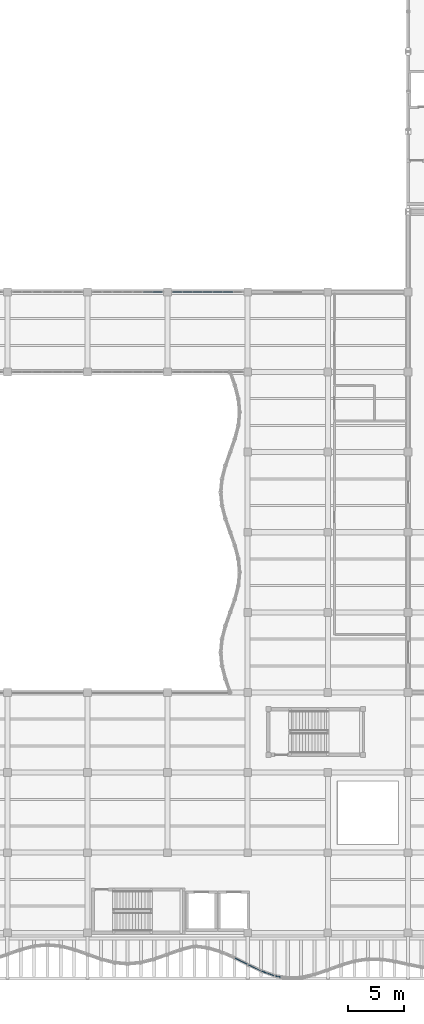
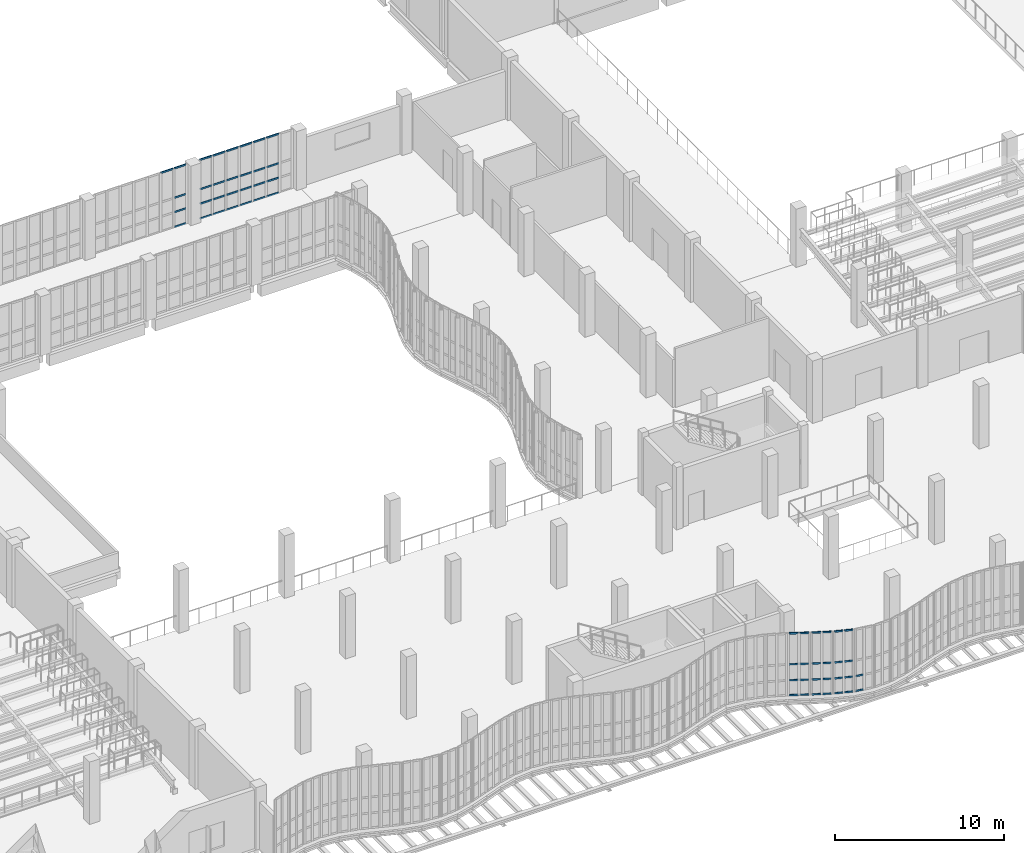
# One storey, part 57 of 108: 55 members, 6 elements without a shape of their own.
"""IFC4 building model written with IfcOpenShell, lengths in metres."""

from ifc_helpers import new_model, si_unit, direction, frame, origin, origin_2d, place, context, subcontext, project, spatial, hollow_rectangle, extrude, material, layer, layer_set, material_profile, profile_set, type_object, element, aggregate, save


model = new_model("IFC4")

# Units and contexts
model_context = context("Model", 3, precision=1e-05, world=origin(), true_north=direction((0.0, 1.0)))
body_context = subcontext(model_context, "Body", "Model", "MODEL_VIEW")
ifc_project = project(units=[si_unit("LENGTHUNIT", "METRE"), si_unit("AREAUNIT", "SQUARE_METRE"), si_unit("VOLUMEUNIT", "CUBIC_METRE"), si_unit("PLANEANGLEUNIT", "RADIAN"), si_unit("MASSUNIT", "GRAM", prefix="KILO"), si_unit("THERMODYNAMICTEMPERATUREUNIT", "KELVIN"), si_unit("POWERUNIT", "WATT")], contexts=[model_context])

# Site, building, storey
site_placement = place(None, origin())
site = spatial("IfcSite", under=ifc_project, at=site_placement, CompositionType="ELEMENT")
building_placement = place(site_placement, origin())
building = spatial("IfcBuilding", under=site, at=building_placement, Name="Kaldorven Railside Theatre", CompositionType="ELEMENT")
storey_placement = place(building_placement, frame((0.0, 0.0, 5.39990234375)))
storey = spatial("IfcBuildingStorey", under=building, at=storey_placement, Name="L01", CompositionType="ELEMENT", Elevation=5.39990234375)

# Curtain wall, members
ifc_material_1 = material(Name="Low-E laminated solar-control glass", Category="glass")
ifc_layer_1 = layer(ifc_material_1, 0.159912109375, Name="Low-E laminated solar-control glass")
ifc_layer_set_1 = layer_set([ifc_layer_1], Name="Low-E laminated solar-control glass")
curtain_wall_type_1 = type_object("IfcCurtainWallType", Name="CWT-06", PredefinedType="USERDEFINED", material=ifc_layer_set_1)
curtain_wall_1_placement = place(storey_placement, origin())
curtain_wall_1 = element("IfcCurtainWall", 1, at=curtain_wall_1_placement, inside=storey, type_object=curtain_wall_type_1, Name="Sinusoidal Fluted Curtain Wall CW-L01-S30", ObjectType="FLUTED GLAZING", PredefinedType="USERDEFINED")
ifc_material_2 = material(Name="Anodised bronze aluminium", Category="aluminium")
ifc_material_profile = material_profile(ifc_material_2, hollow_rectangle(XDim=0.06005859375, YDim=0.1201171875, WallThickness=0.0048828125, at=origin_2d()), Name="RHS 120x60x5")
ifc_profile_set = profile_set([ifc_material_profile], Name="Anodised bronze aluminium")
member_type = type_object("IfcMemberType", Name="CWT-120", PredefinedType="USERDEFINED", material=ifc_profile_set)
member_1_placement = place(storey_placement, frame((71.67138671875, 16.918212890625, 0.030029296875), z_axis=(0.892384777665, -0.451275313519, 0.0), x_axis=(0.451275313519, 0.892384777665, 0.0)))
member_1 = element("IfcMember", 2, at=member_1_placement, type_object=member_type, Name="CW-L01-S30 transom 1.1", ObjectType="TRANSOM", PredefinedType="USERDEFINED", context=body_context, shape_type="SweptSolid", body=[
    extrude(hollow_rectangle(XDim=0.06005859375, YDim=0.1201171875, WallThickness=0.0048828125, at=origin_2d()), origin(), (0.0, 0.0, 1.0), 0.55224609375),
])
member_2_placement = place(storey_placement, frame((71.67138671875, 16.918212890625, 1.10009765625), z_axis=(0.892384777665, -0.451275313519, 0.0), x_axis=(0.451275313519, 0.892384777665, 0.0)))
member_2 = element("IfcMember", 3, at=member_2_placement, type_object=member_type, Name="CW-L01-S30 transom 1.2", ObjectType="TRANSOM", PredefinedType="USERDEFINED", context=body_context, shape_type="SweptSolid", body=[
    extrude(hollow_rectangle(XDim=0.06005859375, YDim=0.1201171875, WallThickness=0.0048828125, at=origin_2d()), origin(), (0.0, 0.0, 1.0), 0.55224609375),
])
member_3_placement = place(storey_placement, frame((71.67138671875, 16.918212890625, 2.25), z_axis=(0.892384777665, -0.451275313519, 0.0), x_axis=(0.451275313519, 0.892384777665, 0.0)))
member_3 = element("IfcMember", 4, at=member_3_placement, type_object=member_type, Name="CW-L01-S30 transom 1.3", ObjectType="TRANSOM", PredefinedType="USERDEFINED", context=body_context, shape_type="SweptSolid", body=[
    extrude(hollow_rectangle(XDim=0.06005859375, YDim=0.1201171875, WallThickness=0.0048828125, at=origin_2d()), origin(), (0.0, 0.0, 1.0), 0.55224609375),
])
member_4_placement = place(storey_placement, frame((71.67138671875, 16.918212890625, 4.47021484375), z_axis=(0.892384777665, -0.451275313519, 0.0), x_axis=(0.451275313519, 0.892384777665, 0.0)))
member_4 = element("IfcMember", 5, at=member_4_placement, type_object=member_type, Name="CW-L01-S30 transom 1.4", ObjectType="TRANSOM", PredefinedType="USERDEFINED", context=body_context, shape_type="SweptSolid", body=[
    extrude(hollow_rectangle(XDim=0.06005859375, YDim=0.1201171875, WallThickness=0.0048828125, at=origin_2d()), origin(), (0.0, 0.0, 1.0), 0.55224609375),
])
member_5_placement = place(storey_placement, frame((72.235595703125, 16.6328125, 0.030029296875), z_axis=(0.892206748065, -0.451627189956, 0.0), x_axis=(0.451627189956, 0.892206748065, 0.0)))
member_5 = element("IfcMember", 6, at=member_5_placement, type_object=member_type, Name="CW-L01-S30 transom 2.1", ObjectType="TRANSOM", PredefinedType="USERDEFINED", context=body_context, shape_type="SweptSolid", body=[
    extrude(hollow_rectangle(XDim=0.06005859375, YDim=0.1201171875, WallThickness=0.0048828125, at=origin_2d()), origin(), (0.0, 0.0, 1.0), 0.552490234375),
])
member_6_placement = place(storey_placement, frame((72.235595703125, 16.6328125, 1.10009765625), z_axis=(0.892206748065, -0.451627189956, 0.0), x_axis=(0.451627189956, 0.892206748065, 0.0)))
member_6 = element("IfcMember", 7, at=member_6_placement, type_object=member_type, Name="CW-L01-S30 transom 2.2", ObjectType="TRANSOM", PredefinedType="USERDEFINED", context=body_context, shape_type="SweptSolid", body=[
    extrude(hollow_rectangle(XDim=0.06005859375, YDim=0.1201171875, WallThickness=0.0048828125, at=origin_2d()), origin(), (0.0, 0.0, 1.0), 0.552490234375),
])
member_7_placement = place(storey_placement, frame((72.235595703125, 16.6328125, 2.25), z_axis=(0.892206748065, -0.451627189956, 0.0), x_axis=(0.451627189956, 0.892206748065, 0.0)))
member_7 = element("IfcMember", 8, at=member_7_placement, type_object=member_type, Name="CW-L01-S30 transom 2.3", ObjectType="TRANSOM", PredefinedType="USERDEFINED", context=body_context, shape_type="SweptSolid", body=[
    extrude(hollow_rectangle(XDim=0.06005859375, YDim=0.1201171875, WallThickness=0.0048828125, at=origin_2d()), origin(), (0.0, 0.0, 1.0), 0.552490234375),
])
member_8_placement = place(storey_placement, frame((72.235595703125, 16.6328125, 4.47021484375), z_axis=(0.892206748065, -0.451627189956, 0.0), x_axis=(0.451627189956, 0.892206748065, 0.0)))
member_8 = element("IfcMember", 9, at=member_8_placement, type_object=member_type, Name="CW-L01-S30 transom 2.4", ObjectType="TRANSOM", PredefinedType="USERDEFINED", context=body_context, shape_type="SweptSolid", body=[
    extrude(hollow_rectangle(XDim=0.06005859375, YDim=0.1201171875, WallThickness=0.0048828125, at=origin_2d()), origin(), (0.0, 0.0, 1.0), 0.552490234375),
])
aggregate(curtain_wall_1, [member_1, member_2, member_3, member_4, member_5, member_6, member_7, member_8])

curtain_wall_2_placement = place(storey_placement, origin())
curtain_wall_2 = element("IfcCurtainWall", 10, at=curtain_wall_2_placement, inside=storey, type_object=curtain_wall_type_1, Name="Sinusoidal Fluted Curtain Wall CW-L01-S31", ObjectType="FLUTED GLAZING", PredefinedType="USERDEFINED")
member_9_placement = place(storey_placement, frame((72.8720703125, 16.3125, 0.030029296875), z_axis=(0.90085923382, -0.434111323097, 0.0), x_axis=(0.434111323097, 0.90085923382, 0.0)))
member_9 = element("IfcMember", 11, at=member_9_placement, type_object=member_type, Name="CW-L01-S31 transom 1.1", ObjectType="TRANSOM", PredefinedType="USERDEFINED", context=body_context, shape_type="SweptSolid", body=[
    extrude(hollow_rectangle(XDim=0.06005859375, YDim=0.1201171875, WallThickness=0.0048828125, at=origin_2d()), origin(), (0.0, 0.0, 1.0), 0.546142578125),
])
member_10_placement = place(storey_placement, frame((72.8720703125, 16.3125, 1.10009765625), z_axis=(0.90085923382, -0.434111323097, 0.0), x_axis=(0.434111323097, 0.90085923382, 0.0)))
member_10 = element("IfcMember", 12, at=member_10_placement, type_object=member_type, Name="CW-L01-S31 transom 1.2", ObjectType="TRANSOM", PredefinedType="USERDEFINED", context=body_context, shape_type="SweptSolid", body=[
    extrude(hollow_rectangle(XDim=0.06005859375, YDim=0.1201171875, WallThickness=0.0048828125, at=origin_2d()), origin(), (0.0, 0.0, 1.0), 0.546142578125),
])
member_11_placement = place(storey_placement, frame((72.8720703125, 16.3125, 2.25), z_axis=(0.90085923382, -0.434111323097, 0.0), x_axis=(0.434111323097, 0.90085923382, 0.0)))
member_11 = element("IfcMember", 13, at=member_11_placement, type_object=member_type, Name="CW-L01-S31 transom 1.3", ObjectType="TRANSOM", PredefinedType="USERDEFINED", context=body_context, shape_type="SweptSolid", body=[
    extrude(hollow_rectangle(XDim=0.06005859375, YDim=0.1201171875, WallThickness=0.0048828125, at=origin_2d()), origin(), (0.0, 0.0, 1.0), 0.546142578125),
])
member_12_placement = place(storey_placement, frame((72.8720703125, 16.3125, 4.47021484375), z_axis=(0.90085923382, -0.434111323097, 0.0), x_axis=(0.434111323097, 0.90085923382, 0.0)))
member_12 = element("IfcMember", 14, at=member_12_placement, type_object=member_type, Name="CW-L01-S31 transom 1.4", ObjectType="TRANSOM", PredefinedType="USERDEFINED", context=body_context, shape_type="SweptSolid", body=[
    extrude(hollow_rectangle(XDim=0.06005859375, YDim=0.1201171875, WallThickness=0.0048828125, at=origin_2d()), origin(), (0.0, 0.0, 1.0), 0.546142578125),
])
member_13_placement = place(storey_placement, frame((73.43603515625, 16.040771484375, 0.030029296875), z_axis=(0.900684355074, -0.434474041256, 0.0), x_axis=(0.434474041256, 0.900684355074, 0.0)))
member_13 = element("IfcMember", 15, at=member_13_placement, type_object=member_type, Name="CW-L01-S31 transom 2.1", ObjectType="TRANSOM", PredefinedType="USERDEFINED", context=body_context, shape_type="SweptSolid", body=[
    extrude(hollow_rectangle(XDim=0.06005859375, YDim=0.1201171875, WallThickness=0.0048828125, at=origin_2d()), origin(), (0.0, 0.0, 1.0), 0.546142578125),
])
member_14_placement = place(storey_placement, frame((73.43603515625, 16.040771484375, 1.10009765625), z_axis=(0.900684355074, -0.434474041256, 0.0), x_axis=(0.434474041256, 0.900684355074, 0.0)))
member_14 = element("IfcMember", 16, at=member_14_placement, type_object=member_type, Name="CW-L01-S31 transom 2.2", ObjectType="TRANSOM", PredefinedType="USERDEFINED", context=body_context, shape_type="SweptSolid", body=[
    extrude(hollow_rectangle(XDim=0.06005859375, YDim=0.1201171875, WallThickness=0.0048828125, at=origin_2d()), origin(), (0.0, 0.0, 1.0), 0.546142578125),
])
member_15_placement = place(storey_placement, frame((73.43603515625, 16.040771484375, 2.25), z_axis=(0.900684355074, -0.434474041256, 0.0), x_axis=(0.434474041256, 0.900684355074, 0.0)))
member_15 = element("IfcMember", 17, at=member_15_placement, type_object=member_type, Name="CW-L01-S31 transom 2.3", ObjectType="TRANSOM", PredefinedType="USERDEFINED", context=body_context, shape_type="SweptSolid", body=[
    extrude(hollow_rectangle(XDim=0.06005859375, YDim=0.1201171875, WallThickness=0.0048828125, at=origin_2d()), origin(), (0.0, 0.0, 1.0), 0.546142578125),
])
member_16_placement = place(storey_placement, frame((73.43603515625, 16.040771484375, 4.47021484375), z_axis=(0.900684355074, -0.434474041256, 0.0), x_axis=(0.434474041256, 0.900684355074, 0.0)))
member_16 = element("IfcMember", 18, at=member_16_placement, type_object=member_type, Name="CW-L01-S31 transom 2.4", ObjectType="TRANSOM", PredefinedType="USERDEFINED", context=body_context, shape_type="SweptSolid", body=[
    extrude(hollow_rectangle(XDim=0.06005859375, YDim=0.1201171875, WallThickness=0.0048828125, at=origin_2d()), origin(), (0.0, 0.0, 1.0), 0.546142578125),
])
aggregate(curtain_wall_2, [member_9, member_10, member_11, member_12, member_13, member_14, member_15, member_16])

ifc_layer_2 = layer(ifc_material_1, 0.159912109375, Name="Low-E laminated solar-control glass")
ifc_layer_set_2 = layer_set([ifc_layer_2], Name="Low-E laminated solar-control glass")
curtain_wall_type_2 = type_object("IfcCurtainWallType", Name="CWT-01", PredefinedType="USERDEFINED", material=ifc_layer_set_2)
curtain_wall_3_placement = place(storey_placement, origin())
curtain_wall_3 = element("IfcCurtainWall", 19, at=curtain_wall_3_placement, inside=storey, type_object=curtain_wall_type_2, Name="Sinusoidal Fluted Curtain Wall CW-L01-S32", ObjectType="FLUTED GLAZING", PredefinedType="USERDEFINED")
member_17_placement = place(storey_placement, frame((74.0751953125, 15.741455078125, 0.030029296875), z_axis=(0.939765927039, -0.341818668853, 0.0), x_axis=(0.341818668853, 0.939765927039, 0.0)))
member_17 = element("IfcMember", 20, at=member_17_placement, type_object=member_type, Name="CW-L01-S32 transom 1.1", ObjectType="TRANSOM", PredefinedType="USERDEFINED", context=body_context, shape_type="SweptSolid", body=[
    extrude(hollow_rectangle(XDim=0.06005859375, YDim=0.1201171875, WallThickness=0.0048828125, at=origin_2d()), origin(), (0.0, 0.0, 1.0), 0.5185546875),
])
member_18_placement = place(storey_placement, frame((74.0751953125, 15.741455078125, 1.10009765625), z_axis=(0.939765927039, -0.341818668853, 0.0), x_axis=(0.341818668853, 0.939765927039, 0.0)))
member_18 = element("IfcMember", 21, at=member_18_placement, type_object=member_type, Name="CW-L01-S32 transom 1.2", ObjectType="TRANSOM", PredefinedType="USERDEFINED", context=body_context, shape_type="SweptSolid", body=[
    extrude(hollow_rectangle(XDim=0.06005859375, YDim=0.1201171875, WallThickness=0.0048828125, at=origin_2d()), origin(), (0.0, 0.0, 1.0), 0.5185546875),
])
member_19_placement = place(storey_placement, frame((74.0751953125, 15.741455078125, 2.25), z_axis=(0.939765927039, -0.341818668853, 0.0), x_axis=(0.341818668853, 0.939765927039, 0.0)))
member_19 = element("IfcMember", 22, at=member_19_placement, type_object=member_type, Name="CW-L01-S32 transom 1.3", ObjectType="TRANSOM", PredefinedType="USERDEFINED", context=body_context, shape_type="SweptSolid", body=[
    extrude(hollow_rectangle(XDim=0.06005859375, YDim=0.1201171875, WallThickness=0.0048828125, at=origin_2d()), origin(), (0.0, 0.0, 1.0), 0.5185546875),
])
member_20_placement = place(storey_placement, frame((74.0751953125, 15.741455078125, 4.47021484375), z_axis=(0.939765927039, -0.341818668853, 0.0), x_axis=(0.341818668853, 0.939765927039, 0.0)))
member_20 = element("IfcMember", 23, at=member_20_placement, type_object=member_type, Name="CW-L01-S32 transom 1.4", ObjectType="TRANSOM", PredefinedType="USERDEFINED", context=body_context, shape_type="SweptSolid", body=[
    extrude(hollow_rectangle(XDim=0.06005859375, YDim=0.1201171875, WallThickness=0.0048828125, at=origin_2d()), origin(), (0.0, 0.0, 1.0), 0.5185546875),
])
member_21_placement = place(storey_placement, frame((74.6376953125, 15.536865234375, 0.030029296875), z_axis=(0.939710879359, -0.341969974143, 0.0), x_axis=(0.341969974143, 0.939710879359, 0.0)))
member_21 = element("IfcMember", 24, at=member_21_placement, type_object=member_type, Name="CW-L01-S32 transom 2.1", ObjectType="TRANSOM", PredefinedType="USERDEFINED", context=body_context, shape_type="SweptSolid", body=[
    extrude(hollow_rectangle(XDim=0.06005859375, YDim=0.1201171875, WallThickness=0.0048828125, at=origin_2d()), origin(), (0.0, 0.0, 1.0), 0.518310546875),
])
member_22_placement = place(storey_placement, frame((74.6376953125, 15.536865234375, 1.10009765625), z_axis=(0.939710879359, -0.341969974143, 0.0), x_axis=(0.341969974143, 0.939710879359, 0.0)))
member_22 = element("IfcMember", 25, at=member_22_placement, type_object=member_type, Name="CW-L01-S32 transom 2.2", ObjectType="TRANSOM", PredefinedType="USERDEFINED", context=body_context, shape_type="SweptSolid", body=[
    extrude(hollow_rectangle(XDim=0.06005859375, YDim=0.1201171875, WallThickness=0.0048828125, at=origin_2d()), origin(), (0.0, 0.0, 1.0), 0.518310546875),
])
member_23_placement = place(storey_placement, frame((74.6376953125, 15.536865234375, 2.25), z_axis=(0.939710879359, -0.341969974143, 0.0), x_axis=(0.341969974143, 0.939710879359, 0.0)))
member_23 = element("IfcMember", 26, at=member_23_placement, type_object=member_type, Name="CW-L01-S32 transom 2.3", ObjectType="TRANSOM", PredefinedType="USERDEFINED", context=body_context, shape_type="SweptSolid", body=[
    extrude(hollow_rectangle(XDim=0.06005859375, YDim=0.1201171875, WallThickness=0.0048828125, at=origin_2d()), origin(), (0.0, 0.0, 1.0), 0.518310546875),
])
member_24_placement = place(storey_placement, frame((74.6376953125, 15.536865234375, 4.47021484375), z_axis=(0.939710879359, -0.341969974143, 0.0), x_axis=(0.341969974143, 0.939710879359, 0.0)))
member_24 = element("IfcMember", 27, at=member_24_placement, type_object=member_type, Name="CW-L01-S32 transom 2.4", ObjectType="TRANSOM", PredefinedType="USERDEFINED", context=body_context, shape_type="SweptSolid", body=[
    extrude(hollow_rectangle(XDim=0.06005859375, YDim=0.1201171875, WallThickness=0.0048828125, at=origin_2d()), origin(), (0.0, 0.0, 1.0), 0.518310546875),
])
aggregate(curtain_wall_3, [member_17, member_18, member_19, member_20, member_21, member_22, member_23, member_24])

ifc_layer_3 = layer(ifc_material_1, 0.159912109375, Name="Low-E laminated solar-control glass")
ifc_layer_set_3 = layer_set([ifc_layer_3], Name="Low-E laminated solar-control glass")
curtain_wall_type_3 = type_object("IfcCurtainWallType", Name="CWT-07", PredefinedType="USERDEFINED", material=ifc_layer_set_3)
curtain_wall_4_placement = place(storey_placement, origin())
curtain_wall_4 = element("IfcCurtainWall", 28, at=curtain_wall_4_placement, inside=storey, type_object=curtain_wall_type_3, Name="Sinusoidal Fluted Curtain Wall CW-L01-S33", ObjectType="FLUTED GLAZING", PredefinedType="USERDEFINED")
member_25_placement = place(storey_placement, frame((75.27880859375, 15.318359375, 0.030029296875), z_axis=(0.984883900347, -0.1732157696, 0.0), x_axis=(0.1732157696, 0.984883900347, 0.0)))
member_25 = element("IfcMember", 29, at=member_25_placement, type_object=member_type, Name="CW-L01-S33 transom 1.1", ObjectType="TRANSOM", PredefinedType="USERDEFINED", context=body_context, shape_type="SweptSolid", body=[
    extrude(hollow_rectangle(XDim=0.06005859375, YDim=0.1201171875, WallThickness=0.0048828125, at=origin_2d()), origin(), (0.0, 0.0, 1.0), 0.489013671875),
])
member_26_placement = place(storey_placement, frame((75.27880859375, 15.318359375, 1.10009765625), z_axis=(0.984883900347, -0.1732157696, 0.0), x_axis=(0.1732157696, 0.984883900347, 0.0)))
member_26 = element("IfcMember", 30, at=member_26_placement, type_object=member_type, Name="CW-L01-S33 transom 1.2", ObjectType="TRANSOM", PredefinedType="USERDEFINED", context=body_context, shape_type="SweptSolid", body=[
    extrude(hollow_rectangle(XDim=0.06005859375, YDim=0.1201171875, WallThickness=0.0048828125, at=origin_2d()), origin(), (0.0, 0.0, 1.0), 0.489013671875),
])
aggregate(curtain_wall_4, [member_25, member_26])

ifc_layer_4 = layer(ifc_material_1, 0.159912109375, Name="Low-E laminated solar-control glass")
ifc_layer_set_4 = layer_set([ifc_layer_4], Name="Low-E laminated solar-control glass")
curtain_wall_type_4 = type_object("IfcCurtainWallType", Name="CWT-25", PredefinedType="USERDEFINED", material=ifc_layer_set_4)
curtain_wall_5_placement = place(storey_placement, origin())
curtain_wall_5 = element("IfcCurtainWall", 31, at=curtain_wall_5_placement, inside=storey, type_object=curtain_wall_type_4, Name="Sinusoidal Fluted Curtain Wall CW-L01-BN03", ObjectType="FLUTED GLAZING", PredefinedType="USERDEFINED")
member_27_placement = place(storey_placement, frame((63.411376953125, 76.800048828125, 4.25), z_axis=(1.0, 0.0, 0.0), x_axis=(0.0, 1.0, 0.0)))
member_27 = element("IfcMember", 32, at=member_27_placement, type_object=member_type, Name="CW-L01-BN03 transom 6.4", ObjectType="TRANSOM", PredefinedType="USERDEFINED", context=body_context, shape_type="SweptSolid", body=[
    extrude(hollow_rectangle(XDim=0.06005859375, YDim=0.1201171875, WallThickness=0.0048828125, at=origin_2d()), origin(), (0.0, 0.0, 1.0), 0.834228515625),
])
member_28_placement = place(storey_placement, frame((64.32568359375, 76.800048828125, 0.030029296875), z_axis=(1.0, 0.0, 0.0), x_axis=(0.0, 1.0, 0.0)))
member_28 = element("IfcMember", 33, at=member_28_placement, type_object=member_type, Name="CW-L01-BN03 transom 7.1", ObjectType="TRANSOM", PredefinedType="USERDEFINED", context=body_context, shape_type="SweptSolid", body=[
    extrude(hollow_rectangle(XDim=0.06005859375, YDim=0.1201171875, WallThickness=0.0048828125, at=origin_2d()), origin(), (0.0, 0.0, 1.0), 0.79443359375),
])
member_29_placement = place(storey_placement, frame((64.32568359375, 76.800048828125, 1.10009765625), z_axis=(1.0, 0.0, 0.0), x_axis=(0.0, 1.0, 0.0)))
member_29 = element("IfcMember", 34, at=member_29_placement, type_object=member_type, Name="CW-L01-BN03 transom 7.2", ObjectType="TRANSOM", PredefinedType="USERDEFINED", context=body_context, shape_type="SweptSolid", body=[
    extrude(hollow_rectangle(XDim=0.06005859375, YDim=0.1201171875, WallThickness=0.0048828125, at=origin_2d()), origin(), (0.0, 0.0, 1.0), 0.79443359375),
])
member_30_placement = place(storey_placement, frame((64.32568359375, 76.800048828125, 2.14013671875), z_axis=(1.0, 0.0, 0.0), x_axis=(0.0, 1.0, 0.0)))
member_30 = element("IfcMember", 35, at=member_30_placement, type_object=member_type, Name="CW-L01-BN03 transom 7.3", ObjectType="TRANSOM", PredefinedType="USERDEFINED", context=body_context, shape_type="SweptSolid", body=[
    extrude(hollow_rectangle(XDim=0.06005859375, YDim=0.1201171875, WallThickness=0.0048828125, at=origin_2d()), origin(), (0.0, 0.0, 1.0), 0.79443359375),
])
member_31_placement = place(storey_placement, frame((64.32568359375, 76.800048828125, 4.25), z_axis=(1.0, 0.0, 0.0), x_axis=(0.0, 1.0, 0.0)))
member_31 = element("IfcMember", 36, at=member_31_placement, type_object=member_type, Name="CW-L01-BN03 transom 7.4", ObjectType="TRANSOM", PredefinedType="USERDEFINED", context=body_context, shape_type="SweptSolid", body=[
    extrude(hollow_rectangle(XDim=0.06005859375, YDim=0.1201171875, WallThickness=0.0048828125, at=origin_2d()), origin(), (0.0, 0.0, 1.0), 0.79443359375),
])
aggregate(curtain_wall_5, [member_27, member_28, member_29, member_30, member_31])

curtain_wall_6_placement = place(storey_placement, origin())
curtain_wall_6 = element("IfcCurtainWall", 37, at=curtain_wall_6_placement, inside=storey, type_object=curtain_wall_type_4, Name="Sinusoidal Fluted Curtain Wall CW-L01-BN04", ObjectType="FLUTED GLAZING", PredefinedType="USERDEFINED")
member_32_placement = place(storey_placement, frame((66.080078125, 76.800048828125, 0.030029296875), z_axis=(1.0, 0.0, 0.0), x_axis=(0.0, 1.0, 0.0)))
member_32 = element("IfcMember", 38, at=member_32_placement, type_object=member_type, Name="CW-L01-BN04 transom 1.1", ObjectType="TRANSOM", PredefinedType="USERDEFINED", context=body_context, shape_type="SweptSolid", body=[
    extrude(hollow_rectangle(XDim=0.06005859375, YDim=0.1201171875, WallThickness=0.0048828125, at=origin_2d()), origin(), (0.0, 0.0, 1.0), 0.794189453125),
])
member_33_placement = place(storey_placement, frame((66.080078125, 76.800048828125, 1.10009765625), z_axis=(1.0, 0.0, 0.0), x_axis=(0.0, 1.0, 0.0)))
member_33 = element("IfcMember", 39, at=member_33_placement, type_object=member_type, Name="CW-L01-BN04 transom 1.2", ObjectType="TRANSOM", PredefinedType="USERDEFINED", context=body_context, shape_type="SweptSolid", body=[
    extrude(hollow_rectangle(XDim=0.06005859375, YDim=0.1201171875, WallThickness=0.0048828125, at=origin_2d()), origin(), (0.0, 0.0, 1.0), 0.794189453125),
])
member_34_placement = place(storey_placement, frame((66.080078125, 76.800048828125, 2.14013671875), z_axis=(1.0, 0.0, 0.0), x_axis=(0.0, 1.0, 0.0)))
member_34 = element("IfcMember", 40, at=member_34_placement, type_object=member_type, Name="CW-L01-BN04 transom 1.3", ObjectType="TRANSOM", PredefinedType="USERDEFINED", context=body_context, shape_type="SweptSolid", body=[
    extrude(hollow_rectangle(XDim=0.06005859375, YDim=0.1201171875, WallThickness=0.0048828125, at=origin_2d()), origin(), (0.0, 0.0, 1.0), 0.794189453125),
])
member_35_placement = place(storey_placement, frame((66.080078125, 76.800048828125, 4.25), z_axis=(1.0, 0.0, 0.0), x_axis=(0.0, 1.0, 0.0)))
member_35 = element("IfcMember", 41, at=member_35_placement, type_object=member_type, Name="CW-L01-BN04 transom 1.4", ObjectType="TRANSOM", PredefinedType="USERDEFINED", context=body_context, shape_type="SweptSolid", body=[
    extrude(hollow_rectangle(XDim=0.06005859375, YDim=0.1201171875, WallThickness=0.0048828125, at=origin_2d()), origin(), (0.0, 0.0, 1.0), 0.794189453125),
])
member_36_placement = place(storey_placement, frame((66.954345703125, 76.800048828125, 0.030029296875), z_axis=(1.0, 0.0, 0.0), x_axis=(0.0, 1.0, 0.0)))
member_36 = element("IfcMember", 42, at=member_36_placement, type_object=member_type, Name="CW-L01-BN04 transom 2.1", ObjectType="TRANSOM", PredefinedType="USERDEFINED", context=body_context, shape_type="SweptSolid", body=[
    extrude(hollow_rectangle(XDim=0.06005859375, YDim=0.1201171875, WallThickness=0.0048828125, at=origin_2d()), origin(), (0.0, 0.0, 1.0), 0.834228515625),
])
member_37_placement = place(storey_placement, frame((66.954345703125, 76.800048828125, 1.10009765625), z_axis=(1.0, 0.0, 0.0), x_axis=(0.0, 1.0, 0.0)))
member_37 = element("IfcMember", 43, at=member_37_placement, type_object=member_type, Name="CW-L01-BN04 transom 2.2", ObjectType="TRANSOM", PredefinedType="USERDEFINED", context=body_context, shape_type="SweptSolid", body=[
    extrude(hollow_rectangle(XDim=0.06005859375, YDim=0.1201171875, WallThickness=0.0048828125, at=origin_2d()), origin(), (0.0, 0.0, 1.0), 0.834228515625),
])
member_38_placement = place(storey_placement, frame((66.954345703125, 76.800048828125, 2.14013671875), z_axis=(1.0, 0.0, 0.0), x_axis=(0.0, 1.0, 0.0)))
member_38 = element("IfcMember", 44, at=member_38_placement, type_object=member_type, Name="CW-L01-BN04 transom 2.3", ObjectType="TRANSOM", PredefinedType="USERDEFINED", context=body_context, shape_type="SweptSolid", body=[
    extrude(hollow_rectangle(XDim=0.06005859375, YDim=0.1201171875, WallThickness=0.0048828125, at=origin_2d()), origin(), (0.0, 0.0, 1.0), 0.834228515625),
])
member_39_placement = place(storey_placement, frame((66.954345703125, 76.800048828125, 4.25), z_axis=(1.0, 0.0, 0.0), x_axis=(0.0, 1.0, 0.0)))
member_39 = element("IfcMember", 45, at=member_39_placement, type_object=member_type, Name="CW-L01-BN04 transom 2.4", ObjectType="TRANSOM", PredefinedType="USERDEFINED", context=body_context, shape_type="SweptSolid", body=[
    extrude(hollow_rectangle(XDim=0.06005859375, YDim=0.1201171875, WallThickness=0.0048828125, at=origin_2d()), origin(), (0.0, 0.0, 1.0), 0.834228515625),
])
member_40_placement = place(storey_placement, frame((67.86865234375, 76.800048828125, 0.030029296875), z_axis=(1.0, 0.0, 0.0), x_axis=(0.0, 1.0, 0.0)))
member_40 = element("IfcMember", 46, at=member_40_placement, type_object=member_type, Name="CW-L01-BN04 transom 3.1", ObjectType="TRANSOM", PredefinedType="USERDEFINED", context=body_context, shape_type="SweptSolid", body=[
    extrude(hollow_rectangle(XDim=0.06005859375, YDim=0.1201171875, WallThickness=0.0048828125, at=origin_2d()), origin(), (0.0, 0.0, 1.0), 0.834228515625),
])
member_41_placement = place(storey_placement, frame((67.86865234375, 76.800048828125, 1.10009765625), z_axis=(1.0, 0.0, 0.0), x_axis=(0.0, 1.0, 0.0)))
member_41 = element("IfcMember", 47, at=member_41_placement, type_object=member_type, Name="CW-L01-BN04 transom 3.2", ObjectType="TRANSOM", PredefinedType="USERDEFINED", context=body_context, shape_type="SweptSolid", body=[
    extrude(hollow_rectangle(XDim=0.06005859375, YDim=0.1201171875, WallThickness=0.0048828125, at=origin_2d()), origin(), (0.0, 0.0, 1.0), 0.834228515625),
])
member_42_placement = place(storey_placement, frame((67.86865234375, 76.800048828125, 2.14013671875), z_axis=(1.0, 0.0, 0.0), x_axis=(0.0, 1.0, 0.0)))
member_42 = element("IfcMember", 48, at=member_42_placement, type_object=member_type, Name="CW-L01-BN04 transom 3.3", ObjectType="TRANSOM", PredefinedType="USERDEFINED", context=body_context, shape_type="SweptSolid", body=[
    extrude(hollow_rectangle(XDim=0.06005859375, YDim=0.1201171875, WallThickness=0.0048828125, at=origin_2d()), origin(), (0.0, 0.0, 1.0), 0.834228515625),
])
member_43_placement = place(storey_placement, frame((67.86865234375, 76.800048828125, 4.25), z_axis=(1.0, 0.0, 0.0), x_axis=(0.0, 1.0, 0.0)))
member_43 = element("IfcMember", 49, at=member_43_placement, type_object=member_type, Name="CW-L01-BN04 transom 3.4", ObjectType="TRANSOM", PredefinedType="USERDEFINED", context=body_context, shape_type="SweptSolid", body=[
    extrude(hollow_rectangle(XDim=0.06005859375, YDim=0.1201171875, WallThickness=0.0048828125, at=origin_2d()), origin(), (0.0, 0.0, 1.0), 0.834228515625),
])
member_44_placement = place(storey_placement, frame((68.782958984375, 76.800048828125, 0.030029296875), z_axis=(1.0, 0.0, 0.0), x_axis=(0.0, 1.0, 0.0)))
member_44 = element("IfcMember", 50, at=member_44_placement, type_object=member_type, Name="CW-L01-BN04 transom 4.1", ObjectType="TRANSOM", PredefinedType="USERDEFINED", context=body_context, shape_type="SweptSolid", body=[
    extrude(hollow_rectangle(XDim=0.06005859375, YDim=0.1201171875, WallThickness=0.0048828125, at=origin_2d()), origin(), (0.0, 0.0, 1.0), 0.834228515625),
])
member_45_placement = place(storey_placement, frame((68.782958984375, 76.800048828125, 1.10009765625), z_axis=(1.0, 0.0, 0.0), x_axis=(0.0, 1.0, 0.0)))
member_45 = element("IfcMember", 51, at=member_45_placement, type_object=member_type, Name="CW-L01-BN04 transom 4.2", ObjectType="TRANSOM", PredefinedType="USERDEFINED", context=body_context, shape_type="SweptSolid", body=[
    extrude(hollow_rectangle(XDim=0.06005859375, YDim=0.1201171875, WallThickness=0.0048828125, at=origin_2d()), origin(), (0.0, 0.0, 1.0), 0.834228515625),
])
member_46_placement = place(storey_placement, frame((68.782958984375, 76.800048828125, 2.14013671875), z_axis=(1.0, 0.0, 0.0), x_axis=(0.0, 1.0, 0.0)))
member_46 = element("IfcMember", 52, at=member_46_placement, type_object=member_type, Name="CW-L01-BN04 transom 4.3", ObjectType="TRANSOM", PredefinedType="USERDEFINED", context=body_context, shape_type="SweptSolid", body=[
    extrude(hollow_rectangle(XDim=0.06005859375, YDim=0.1201171875, WallThickness=0.0048828125, at=origin_2d()), origin(), (0.0, 0.0, 1.0), 0.834228515625),
])
member_47_placement = place(storey_placement, frame((68.782958984375, 76.800048828125, 4.25), z_axis=(1.0, 0.0, 0.0), x_axis=(0.0, 1.0, 0.0)))
member_47 = element("IfcMember", 53, at=member_47_placement, type_object=member_type, Name="CW-L01-BN04 transom 4.4", ObjectType="TRANSOM", PredefinedType="USERDEFINED", context=body_context, shape_type="SweptSolid", body=[
    extrude(hollow_rectangle(XDim=0.06005859375, YDim=0.1201171875, WallThickness=0.0048828125, at=origin_2d()), origin(), (0.0, 0.0, 1.0), 0.834228515625),
])
member_48_placement = place(storey_placement, frame((69.697021484375, 76.800048828125, 0.030029296875), z_axis=(1.0, 0.0, 0.0), x_axis=(0.0, 1.0, 0.0)))
member_48 = element("IfcMember", 54, at=member_48_placement, type_object=member_type, Name="CW-L01-BN04 transom 5.1", ObjectType="TRANSOM", PredefinedType="USERDEFINED", context=body_context, shape_type="SweptSolid", body=[
    extrude(hollow_rectangle(XDim=0.06005859375, YDim=0.1201171875, WallThickness=0.0048828125, at=origin_2d()), origin(), (0.0, 0.0, 1.0), 0.83447265625),
])
member_49_placement = place(storey_placement, frame((69.697021484375, 76.800048828125, 1.10009765625), z_axis=(1.0, 0.0, 0.0), x_axis=(0.0, 1.0, 0.0)))
member_49 = element("IfcMember", 55, at=member_49_placement, type_object=member_type, Name="CW-L01-BN04 transom 5.2", ObjectType="TRANSOM", PredefinedType="USERDEFINED", context=body_context, shape_type="SweptSolid", body=[
    extrude(hollow_rectangle(XDim=0.06005859375, YDim=0.1201171875, WallThickness=0.0048828125, at=origin_2d()), origin(), (0.0, 0.0, 1.0), 0.83447265625),
])
member_50_placement = place(storey_placement, frame((69.697021484375, 76.800048828125, 2.14013671875), z_axis=(1.0, 0.0, 0.0), x_axis=(0.0, 1.0, 0.0)))
member_50 = element("IfcMember", 56, at=member_50_placement, type_object=member_type, Name="CW-L01-BN04 transom 5.3", ObjectType="TRANSOM", PredefinedType="USERDEFINED", context=body_context, shape_type="SweptSolid", body=[
    extrude(hollow_rectangle(XDim=0.06005859375, YDim=0.1201171875, WallThickness=0.0048828125, at=origin_2d()), origin(), (0.0, 0.0, 1.0), 0.83447265625),
])
member_51_placement = place(storey_placement, frame((69.697021484375, 76.800048828125, 4.25), z_axis=(1.0, 0.0, 0.0), x_axis=(0.0, 1.0, 0.0)))
member_51 = element("IfcMember", 57, at=member_51_placement, type_object=member_type, Name="CW-L01-BN04 transom 5.4", ObjectType="TRANSOM", PredefinedType="USERDEFINED", context=body_context, shape_type="SweptSolid", body=[
    extrude(hollow_rectangle(XDim=0.06005859375, YDim=0.1201171875, WallThickness=0.0048828125, at=origin_2d()), origin(), (0.0, 0.0, 1.0), 0.83447265625),
])
member_52_placement = place(storey_placement, frame((70.611328125, 76.800048828125, 0.030029296875), z_axis=(1.0, 0.0, 0.0), x_axis=(0.0, 1.0, 0.0)))
member_52 = element("IfcMember", 58, at=member_52_placement, type_object=member_type, Name="CW-L01-BN04 transom 6.1", ObjectType="TRANSOM", PredefinedType="USERDEFINED", context=body_context, shape_type="SweptSolid", body=[
    extrude(hollow_rectangle(XDim=0.06005859375, YDim=0.1201171875, WallThickness=0.0048828125, at=origin_2d()), origin(), (0.0, 0.0, 1.0), 0.83447265625),
])
member_53_placement = place(storey_placement, frame((70.611328125, 76.800048828125, 1.10009765625), z_axis=(1.0, 0.0, 0.0), x_axis=(0.0, 1.0, 0.0)))
member_53 = element("IfcMember", 59, at=member_53_placement, type_object=member_type, Name="CW-L01-BN04 transom 6.2", ObjectType="TRANSOM", PredefinedType="USERDEFINED", context=body_context, shape_type="SweptSolid", body=[
    extrude(hollow_rectangle(XDim=0.06005859375, YDim=0.1201171875, WallThickness=0.0048828125, at=origin_2d()), origin(), (0.0, 0.0, 1.0), 0.83447265625),
])
member_54_placement = place(storey_placement, frame((70.611328125, 76.800048828125, 2.14013671875), z_axis=(1.0, 0.0, 0.0), x_axis=(0.0, 1.0, 0.0)))
member_54 = element("IfcMember", 60, at=member_54_placement, type_object=member_type, Name="CW-L01-BN04 transom 6.3", ObjectType="TRANSOM", PredefinedType="USERDEFINED", context=body_context, shape_type="SweptSolid", body=[
    extrude(hollow_rectangle(XDim=0.06005859375, YDim=0.1201171875, WallThickness=0.0048828125, at=origin_2d()), origin(), (0.0, 0.0, 1.0), 0.83447265625),
])
member_55_placement = place(storey_placement, frame((70.611328125, 76.800048828125, 4.25), z_axis=(1.0, 0.0, 0.0), x_axis=(0.0, 1.0, 0.0)))
member_55 = element("IfcMember", 61, at=member_55_placement, type_object=member_type, Name="CW-L01-BN04 transom 6.4", ObjectType="TRANSOM", PredefinedType="USERDEFINED", context=body_context, shape_type="SweptSolid", body=[
    extrude(hollow_rectangle(XDim=0.06005859375, YDim=0.1201171875, WallThickness=0.0048828125, at=origin_2d()), origin(), (0.0, 0.0, 1.0), 0.83447265625),
])
aggregate(curtain_wall_6, [member_32, member_33, member_34, member_35, member_36, member_37, member_38, member_39, member_40, member_41, member_42, member_43, member_44, member_45, member_46, member_47, member_48, member_49, member_50, member_51, member_52, member_53, member_54, member_55])

save(model, "model.ifc")
